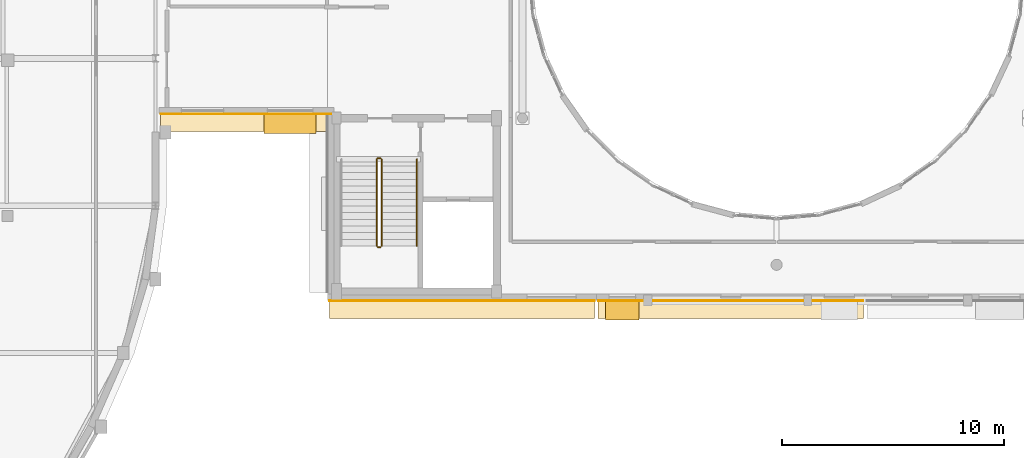
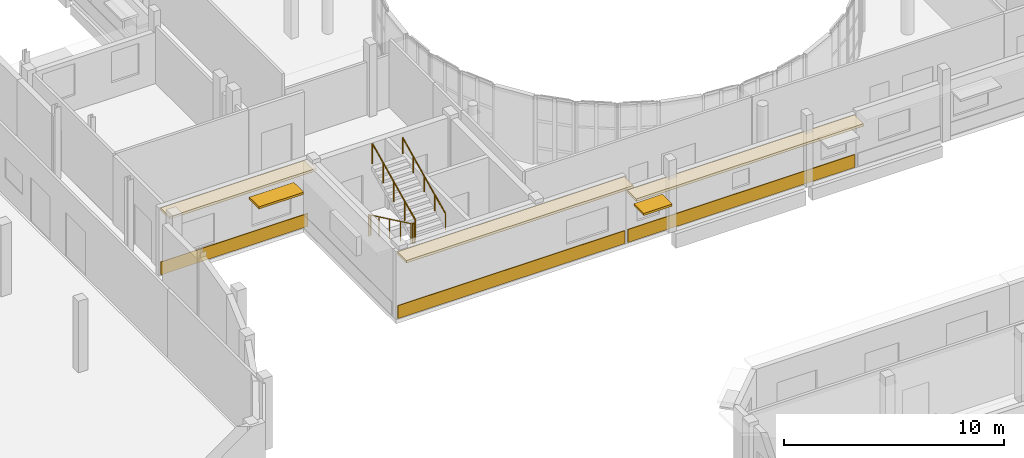
# One storey, part 91 of 105: 6 coverings, 5 railings, 2 shading devices.
"""IFC4 building model written with IfcOpenShell, lengths in metres."""

from ifc_helpers import new_model, si_unit, direction, frame, origin, origin_2d, place, context, subcontext, project, spatial, rectangle, circle, extrude, material, layer, layer_set, type_object, element, save


model = new_model("IFC4")

# Units and contexts
model_context = context("Model", 3, precision=1e-05, world=origin(), true_north=direction((0.0, 1.0)))
body_context = subcontext(model_context, "Body", "Model", "MODEL_VIEW")
ifc_project = project(units=[si_unit("LENGTHUNIT", "METRE"), si_unit("AREAUNIT", "SQUARE_METRE"), si_unit("VOLUMEUNIT", "CUBIC_METRE"), si_unit("PLANEANGLEUNIT", "RADIAN"), si_unit("MASSUNIT", "GRAM", prefix="KILO")], contexts=[model_context])

# Site, building, storey
site_placement = place(None, origin())
site = spatial("IfcSite", under=ifc_project, at=site_placement, CompositionType="ELEMENT")
building_placement = place(site_placement, origin())
building = spatial("IfcBuilding", under=site, at=building_placement, Name="Kelanivale Promenade Academy", CompositionType="ELEMENT")
storey_placement = place(building_placement, frame((0.0, 0.0, 4.199951171875)))
storey = spatial("IfcBuildingStorey", under=building, at=storey_placement, Name="L01", CompositionType="ELEMENT", Elevation=4.199951171875)

# Coverings
ifc_material_1 = material(Name="Warm ivory Art Deco stucco frieze band 40 mm", Category="masonry")
ifc_layer_1 = layer(ifc_material_1, 0.0400390625)
ifc_layer_set_1 = layer_set([ifc_layer_1], Name="Warm ivory Art Deco stucco frieze band 40 mm")
covering_type = type_object("IfcCoveringType", Name="COV-CLD2 Warm ivory Art Deco stucco frieze ba", PredefinedType="CLADDING", material=ifc_layer_set_1)
covering_1_placement = place(storey_placement, frame((39.5400390625, 50.0, 3.6201171875), z_axis=(0.0, 0.0, 1.0), x_axis=(1.0, 0.0, 0.0)))
element("IfcCovering", 1, at=covering_1_placement, inside=storey, type_object=covering_type, Name="Art Deco projecting 820 mm streamline sunshade eyebrow ledge", PredefinedType="CLADDING", context=body_context, shape_type="SweptSolid", body=[
    extrude(rectangle(XDim=7.719970703125, YDim=0.820068359375, at=origin_2d()), origin(), (0.0, 0.0, 1.0), 0.139892578125),
])
covering_2_placement = place(storey_placement, frame((39.5400390625, 50.385009765625, 0.06005859375), z_axis=(0.0, 0.0, 1.0), x_axis=(1.0, 0.0, 0.0)))
element("IfcCovering", 2, at=covering_2_placement, inside=storey, type_object=covering_type, Name="Art Deco ivory stucco sill frieze band", PredefinedType="CLADDING", context=body_context, shape_type="SweptSolid", body=[
    extrude(rectangle(XDim=7.719970703125, YDim=0.0400390625, at=origin_2d()), origin(), (0.0, 0.0, 1.0), 0.719970703125),
])
covering_3_placement = place(storey_placement, frame((49.24609375, 41.60009765625, 3.6201171875), z_axis=(0.0, 0.0, 1.0), x_axis=(1.0, 0.0, 0.0)))
element("IfcCovering", 3, at=covering_3_placement, inside=storey, type_object=covering_type, Name="Art Deco projecting 820 mm streamline sunshade eyebrow ledge", PredefinedType="CLADDING", context=body_context, shape_type="SweptSolid", body=[
    extrude(rectangle(XDim=11.93310546875, YDim=0.820068359375, at=origin_2d()), origin(), (0.0, 0.0, 1.0), 0.139892578125),
])
covering_4_placement = place(storey_placement, frame((49.24609375, 41.985107421875, 0.06005859375), z_axis=(0.0, 0.0, 1.0), x_axis=(1.0, 0.0, 0.0)))
element("IfcCovering", 4, at=covering_4_placement, inside=storey, type_object=covering_type, Name="Art Deco ivory stucco sill frieze band", PredefinedType="CLADDING", context=body_context, shape_type="SweptSolid", body=[
    extrude(rectangle(XDim=11.93310546875, YDim=0.0400390625, at=origin_2d()), origin(), (0.0, 0.0, 1.0), 0.719970703125),
])
covering_5_placement = place(storey_placement, frame((61.340087890625, 41.60009765625, 2.81494140625), z_axis=(0.0, 0.0, 1.0), x_axis=(1.0, 0.0, 0.0)))
element("IfcCovering", 5, at=covering_5_placement, inside=storey, type_object=covering_type, Name="Art Deco projecting 820 mm streamline sunshade eyebrow ledge", PredefinedType="CLADDING", context=body_context, shape_type="SweptSolid", body=[
    extrude(rectangle(XDim=11.93408203125, YDim=0.820068359375, at=origin_2d()), origin(), (0.0, 0.0, 1.0), 0.139892578125),
])
covering_6_placement = place(storey_placement, frame((61.340087890625, 41.985107421875, 0.06005859375), z_axis=(0.0, 0.0, 1.0), x_axis=(1.0, 0.0, 0.0)))
element("IfcCovering", 6, at=covering_6_placement, inside=storey, type_object=covering_type, Name="Art Deco ivory stucco sill frieze band", PredefinedType="CLADDING", context=body_context, shape_type="SweptSolid", body=[
    extrude(rectangle(XDim=11.93408203125, YDim=0.0400390625, at=origin_2d()), origin(), (0.0, 0.0, 1.0), 0.719970703125),
])

# Railings
ifc_material_2 = material(Name="Brushed stainless steel grade 316", Category="steel")
railing_type_1 = type_object("IfcRailingType", Name="GR-01 Stair Guard 1100mm", PredefinedType="BALUSTRADE", material=ifc_material_2)
railing_1_placement = place(storey_placement, frame((45.405029296875, 48.344970703125, 0.142822265625)))
element("IfcRailing", 7, at=railing_1_placement, inside=storey, type_object=railing_type_1, Name="L01 ST-06 stair guard 1", PredefinedType="BALUSTRADE", context=body_context, shape_type="SweptSolid", body=[
    extrude(circle(Radius=0.02392578125, at=origin_2d()), frame((0.0, 0.0, 1.09619140625), z_axis=(0.0, -0.902853205547, 0.429948937937), x_axis=(1.0, 0.0, 0.0)), (0.0, 0.0, 1.0), 4.319580078125),
    extrude(circle(Radius=0.02099609375, at=origin_2d()), origin(), (0.0, 0.0, 1.0), 1.072021484375),
    extrude(circle(Radius=0.02099609375, at=origin_2d()), frame((0.0, -0.97509765625, 0.46435546875)), (0.0, 0.0, 1.0), 1.072021484375),
    extrude(circle(Radius=0.02099609375, at=origin_2d()), frame((0.0, -1.949951171875, 0.9287109375)), (0.0, 0.0, 1.0), 1.072021484375),
    extrude(circle(Radius=0.02099609375, at=origin_2d()), frame((0.0, -2.9248046875, 1.392822265625)), (0.0, 0.0, 1.0), 1.072021484375),
    extrude(circle(Radius=0.02099609375, at=origin_2d()), frame((0.0, -3.89990234375, 1.857177734375)), (0.0, 0.0, 1.0), 1.072021484375),
])
railing_2_placement = place(storey_placement, frame((45.455078125, 44.39501953125, 2.0)))
element("IfcRailing", 8, at=railing_2_placement, inside=storey, type_object=railing_type_1, Name="L01 ST-06 stair guard 2", PredefinedType="BALUSTRADE", context=body_context, shape_type="SweptSolid", body=[
    extrude(circle(Radius=0.02392578125, at=origin_2d()), frame((0.0, 0.0, 1.09619140625), z_axis=(1.0, 0.0, 0.0), x_axis=(0.0, 1.0, 0.0)), (0.0, 0.0, 1.0), 0.119873046875),
    extrude(circle(Radius=0.02099609375, at=origin_2d()), origin(), (0.0, 0.0, 1.0), 1.072021484375),
    extrude(circle(Radius=0.02099609375, at=origin_2d()), frame((0.119873046875, 0.0, 0.0)), (0.0, 0.0, 1.0), 1.072021484375),
])
railing_3_placement = place(storey_placement, frame((45.625, 44.445068359375, 2.142822265625)))
element("IfcRailing", 9, at=railing_3_placement, inside=storey, type_object=railing_type_1, Name="L01 ST-06 stair guard 3", PredefinedType="BALUSTRADE", context=body_context, shape_type="SweptSolid", body=[
    extrude(circle(Radius=0.02392578125, at=origin_2d()), frame((0.0, 0.0, 1.09619140625), z_axis=(0.0, 0.902853205547, 0.429948937937), x_axis=(-1.0, 0.0, 0.0)), (0.0, 0.0, 1.0), 4.319580078125),
    extrude(circle(Radius=0.02099609375, at=origin_2d()), origin(), (0.0, 0.0, 1.0), 1.072021484375),
    extrude(circle(Radius=0.02099609375, at=origin_2d()), frame((0.0, 0.97509765625, 0.46435546875)), (0.0, 0.0, 1.0), 1.072021484375),
    extrude(circle(Radius=0.02099609375, at=origin_2d()), frame((0.0, 1.949951171875, 0.9287109375)), (0.0, 0.0, 1.0), 1.072021484375),
    extrude(circle(Radius=0.02099609375, at=origin_2d()), frame((0.0, 2.9248046875, 1.392822265625)), (0.0, 0.0, 1.0), 1.072021484375),
    extrude(circle(Radius=0.02099609375, at=origin_2d()), frame((0.0, 3.89990234375, 1.857177734375)), (0.0, 0.0, 1.0), 1.072021484375),
])
railing_4_placement = place(storey_placement, frame((45.455078125, 48.39501953125, 0.0)))
element("IfcRailing", 10, at=railing_4_placement, inside=storey, type_object=railing_type_1, Name="L01 ST-06 stair guard 4", PredefinedType="BALUSTRADE", context=body_context, shape_type="SweptSolid", body=[
    extrude(circle(Radius=0.02392578125, at=origin_2d()), frame((0.0, 0.0, 1.09619140625), z_axis=(1.0, 0.0, 0.0), x_axis=(0.0, 1.0, 0.0)), (0.0, 0.0, 1.0), 0.119873046875),
    extrude(circle(Radius=0.02099609375, at=origin_2d()), origin(), (0.0, 0.0, 1.0), 1.072021484375),
    extrude(circle(Radius=0.02099609375, at=origin_2d()), frame((0.119873046875, 0.0, 0.0)), (0.0, 0.0, 1.0), 1.072021484375),
])
railing_type_2 = type_object("IfcRailingType", Name="HR-01 Pitch Handrail 900mm", PredefinedType="HANDRAIL", material=ifc_material_2)
railing_5_placement = place(storey_placement, frame((47.215087890625, 44.445068359375, 2.142822265625)))
element("IfcRailing", 11, at=railing_5_placement, inside=storey, type_object=railing_type_2, Name="L01 ST-06 stair handrail 2", PredefinedType="HANDRAIL", context=body_context, shape_type="SweptSolid", body=[
    extrude(circle(Radius=0.02392578125, at=origin_2d()), frame((0.0, 0.0, 0.8759765625), z_axis=(0.0, 0.902853205547, 0.429948937937), x_axis=(-1.0, 0.0, 0.0)), (0.0, 0.0, 1.0), 4.319580078125),
    extrude(circle(Radius=0.02099609375, at=origin_2d()), origin(), (0.0, 0.0, 1.0), 0.851806640625),
    extrude(circle(Radius=0.02099609375, at=origin_2d()), frame((0.0, 0.97509765625, 0.46435546875)), (0.0, 0.0, 1.0), 0.851806640625),
    extrude(circle(Radius=0.02099609375, at=origin_2d()), frame((0.0, 1.949951171875, 0.9287109375)), (0.0, 0.0, 1.0), 0.851806640625),
    extrude(circle(Radius=0.02099609375, at=origin_2d()), frame((0.0, 2.9248046875, 1.392822265625)), (0.0, 0.0, 1.0), 0.851806640625),
    extrude(circle(Radius=0.02099609375, at=origin_2d()), frame((0.0, 3.89990234375, 1.857177734375)), (0.0, 0.0, 1.0), 0.851806640625),
])

# Shading devices
ifc_material_3 = material(Name="Precast concrete C40/50", Category="concrete")
ifc_layer_2 = layer(ifc_material_3, 0.1201171875)
ifc_layer_set_2 = layer_set([ifc_layer_2], Name="Precast concrete C40/50")
shading_device_type = type_object("IfcShadingDeviceType", Name="SHD-01 Art Deco Sunshade Eyebrow 900mm", PredefinedType="USERDEFINED", material=ifc_layer_set_2)
shading_device_1_placement = place(storey_placement, frame((41.510009765625, 49.9599609375, 2.610107421875), z_axis=(0.0, 0.0, 1.0), x_axis=(1.0, 0.0, 0.0)))
element("IfcShadingDevice", 12, at=shading_device_1_placement, inside=storey, type_object=shading_device_type, Name="Art Deco 900 mm precast chajja window sunshade", ObjectType="SUNSHADE", PredefinedType="USERDEFINED", context=body_context, shape_type="SweptSolid", body=[
    extrude(rectangle(XDim=2.35009765625, YDim=0.89990234375, at=origin_2d()), origin(), (0.0, 0.0, 1.0), 0.1201171875),
])
shading_device_2_placement = place(storey_placement, frame((56.458984375, 41.56005859375, 1.9599609375), z_axis=(0.0, 0.0, 1.0), x_axis=(1.0, 0.0, 0.0)))
element("IfcShadingDevice", 13, at=shading_device_2_placement, inside=storey, type_object=shading_device_type, Name="Art Deco 900 mm precast chajja window sunshade", ObjectType="SUNSHADE", PredefinedType="USERDEFINED", context=body_context, shape_type="SweptSolid", body=[
    extrude(rectangle(XDim=1.5, YDim=0.89990234375, at=origin_2d()), origin(), (0.0, 0.0, 1.0), 0.1201171875),
])

save(model, "model.ifc")
